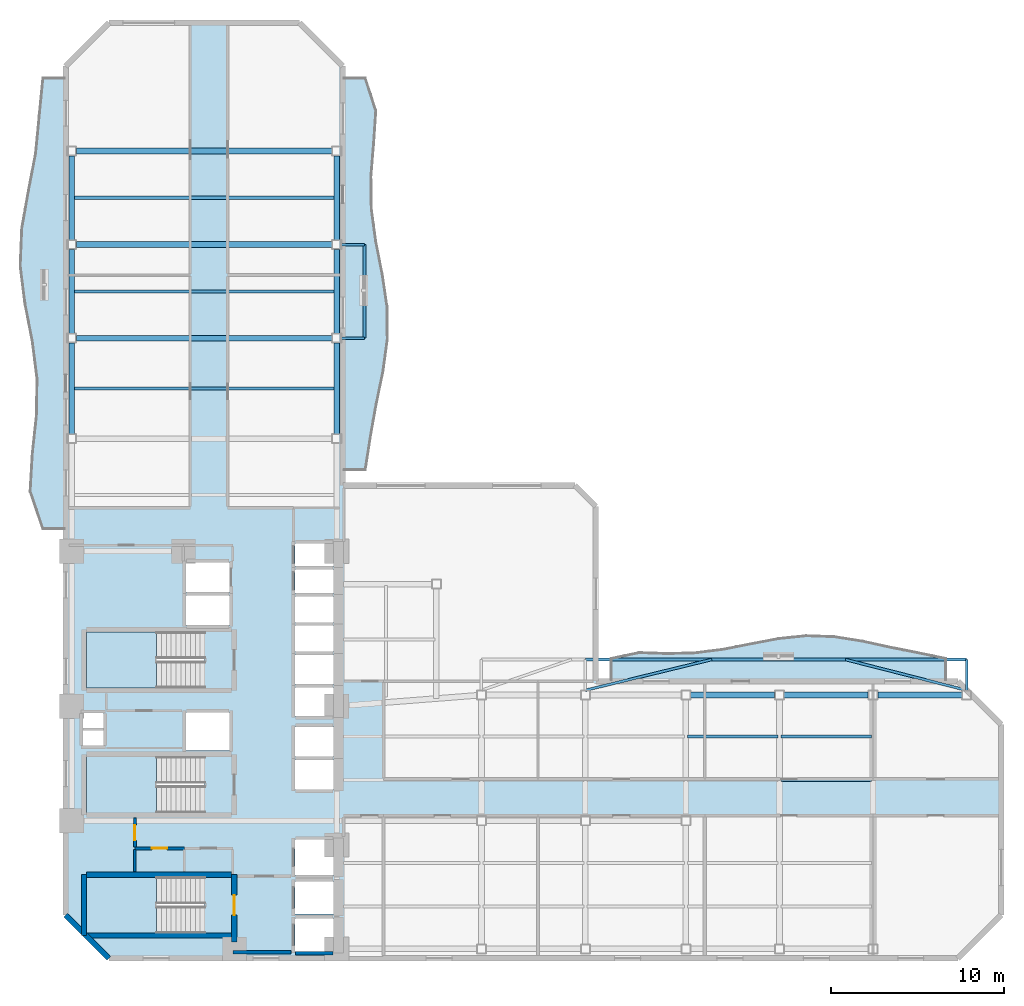
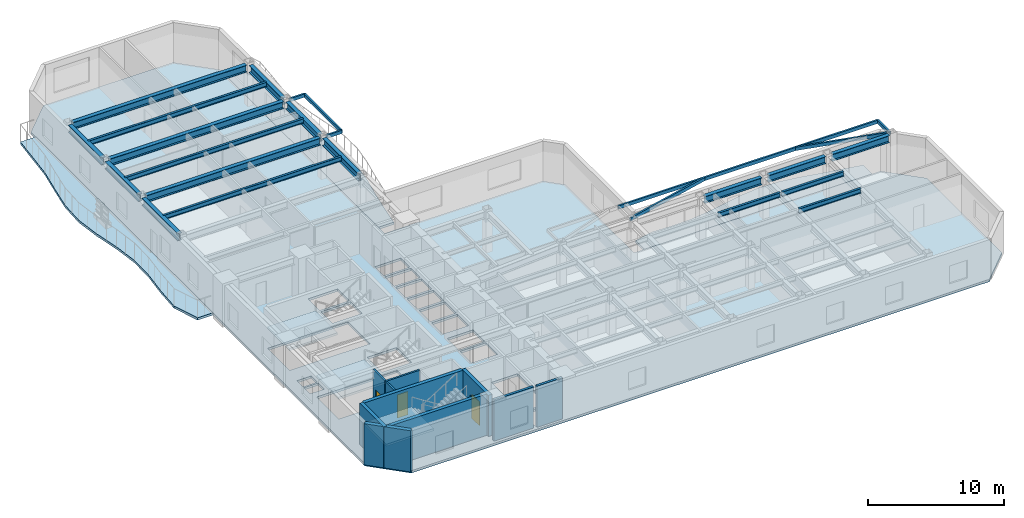
# One storey, part 2 of 10: 25 beams, 10 walls, 7 slabs, 3 doors, 3 openings, 3 elements without a shape of their own.
"""IFC4 building model written with IfcOpenShell, lengths in metres."""

from ifc_helpers import new_model, si_unit, direction, frame, frame_2d, origin, origin_2d, place, context, subcontext, project, spatial, polyline, rectangle, hollow_rectangle, i_section, outline, extrude, material, layer, layer_set, material_profile, profile_set, type_object, element, fill, aggregate, save


model = new_model("IFC4")

# Units and contexts
model_context = context("Model", 3, precision=1e-05, world=origin(), true_north=direction((0.0, 1.0)))
body_context = subcontext(model_context, "Body", "Model", "MODEL_VIEW")
ifc_project = project(units=[si_unit("LENGTHUNIT", "METRE"), si_unit("AREAUNIT", "SQUARE_METRE"), si_unit("VOLUMEUNIT", "CUBIC_METRE"), si_unit("PLANEANGLEUNIT", "RADIAN"), si_unit("MASSUNIT", "GRAM", prefix="KILO")], contexts=[model_context])

# Site, building, storey
site_placement = place(None, origin())
site = spatial("IfcSite", under=ifc_project, at=site_placement, CompositionType="ELEMENT")
building_placement = place(site_placement, origin())
building = spatial("IfcBuilding", under=site, at=building_placement, Name="Mawjaban Terraces University", CompositionType="ELEMENT")
storey_placement = place(building_placement, frame((0.0, 0.0, 58.300048828125)))
storey = spatial("IfcBuildingStorey", under=building, at=storey_placement, Name="L13", CompositionType="ELEMENT", Elevation=58.300048828125)

# Beams
ifc_material_1 = material(Name="Steel EN 10210-1 S355J2H", Category="steel")
ifc_material_profile_1 = material_profile(ifc_material_1, hollow_rectangle(XDim=0.14990234375, YDim=0.300048828125, WallThickness=0.012451171875, at=origin_2d()), Name="RHS300X150X12.5")
ifc_profile_set_1 = profile_set([ifc_material_profile_1], Name="Steel EN 10210-1 S355J2H")
beam_type_1 = type_object("IfcBeamType", Name="BalconyCantileverSpandrel_RHS", PredefinedType="SPANDREL", material=ifc_profile_set_1)
beam_1_placement = place(storey_placement, frame((74.0, 15.47509765625, 3.5400390625), z_axis=(0.0, 1.0, 0.0), x_axis=(-1.0, 0.0, 0.0)))
element("IfcBeam", 1, at=beam_1_placement, inside=storey, type_object=beam_type_1, Name="L13 Exterior Outrigger BAL-L14-N.2", PredefinedType="SPANDREL", context=body_context, shape_type="SweptSolid", body=[
    extrude(hollow_rectangle(XDim=0.14990234375, YDim=0.300048828125, WallThickness=0.012451171875, at=origin_2d()), origin(), (0.0, 0.0, 1.0), 1.77490234375),
])
beam_2_placement = place(storey_placement, frame((52.0, 17.25, 3.5400390625), z_axis=(1.0, 0.0, 0.0), x_axis=(0.0, 1.0, 0.0)))
element("IfcBeam", 2, at=beam_2_placement, inside=storey, type_object=beam_type_1, Name="L13 Exterior Edge Spandrel BAL-L14-N", PredefinedType="SPANDREL", context=body_context, shape_type="SweptSolid", body=[
    extrude(hollow_rectangle(XDim=0.14990234375, YDim=0.300048828125, WallThickness=0.012451171875, at=origin_2d()), origin(), (0.0, 0.0, 1.0), 22.0),
])
beam_3_placement = place(storey_placement, frame((52.0, 15.47509765625, 3.5400390625), z_axis=(0.971617089305, 0.236559150678, 0.0), x_axis=(-0.236559150678, 0.971617089305, 0.0)))
element("IfcBeam", 3, at=beam_3_placement, inside=storey, type_object=beam_type_1, Name="L13 Exterior Diagonal Strut BAL-L14-N.1", PredefinedType="SPANDREL", context=body_context, shape_type="SweptSolid", body=[
    extrude(hollow_rectangle(XDim=0.14990234375, YDim=0.300048828125, WallThickness=0.012451171875, at=origin_2d()), origin(), (0.0, 0.0, 1.0), 7.5029296875),
])
beam_4_placement = place(storey_placement, frame((74.0, 15.47509765625, 3.5400390625), z_axis=(-0.96924179348, 0.246110434096, 0.0), x_axis=(-0.246110434096, -0.96924179348, 0.0)))
element("IfcBeam", 4, at=beam_4_placement, inside=storey, type_object=beam_type_1, Name="L13 Exterior Diagonal Strut BAL-L14-N.2", PredefinedType="SPANDREL", context=body_context, shape_type="SweptSolid", body=[
    extrude(hollow_rectangle(XDim=0.14990234375, YDim=0.300048828125, WallThickness=0.012451171875, at=origin_2d()), origin(), (0.0, 0.0, 1.0), 7.2119140625),
])
for number, where, z_axis, x_axis, name in (
    (5, (37.925048828125, 35.800048828125, 3.5400390625), (1.0, 0.0, 0.0), (0.0, 1.0, 0.0), "L13 Exterior Outrigger BAL-L14-E.1"),
    (6, (37.925048828125, 41.199951171875, 3.5400390625), (1.0, 0.0, 0.0), (0.0, 1.0, 0.0), "L13 Exterior Outrigger BAL-L14-E.2"),
):
    element("IfcBeam", number, at=place(storey_placement, frame(where, z_axis=z_axis, x_axis=x_axis)), inside=storey, type_object=beam_type_1, Name=name, PredefinedType="SPANDREL", context=body_context, shape_type="SweptSolid", body=[
        extrude(hollow_rectangle(XDim=0.14990234375, YDim=0.300048828125, WallThickness=0.012451171875, at=origin_2d()), origin(), (0.0, 0.0, 1.0), 1.324951171875),
    ])
beam_5_placement = place(storey_placement, frame((39.25, 35.800048828125, 3.5400390625), z_axis=(0.0, 1.0, 0.0), x_axis=(-1.0, 0.0, 0.0)))
element("IfcBeam", 7, at=beam_5_placement, inside=storey, type_object=beam_type_1, Name="L13 Exterior Edge Spandrel BAL-L14-E", PredefinedType="SPANDREL", context=body_context, shape_type="SweptSolid", body=[
    extrude(hollow_rectangle(XDim=0.14990234375, YDim=0.300048828125, WallThickness=0.012451171875, at=origin_2d()), origin(), (0.0, 0.0, 1.0), 5.39990234375),
])
ifc_material_2 = material(Name="Steel ASTM A572 Grade 50", Category="steel")
ifc_material_profile_2 = material_profile(ifc_material_2, i_section(OverallWidth=0.3291015625, OverallDepth=0.635009765625, WebThickness=0.017822265625, FlangeThickness=0.031005859375, at=origin_2d()), Name="W610X241")
ifc_profile_set_2 = profile_set([ifc_material_profile_2], Name="Steel ASTM A572 Grade 50")
beam_type_2 = type_object("IfcBeamType", Name="Beam_B_W610X241", PredefinedType="BEAM", material=ifc_profile_set_2)
beam_6_placement = place(storey_placement, frame((58.074951171875, 15.199951171875, 3.3720703125), z_axis=(1.0, 0.0, 0.0), x_axis=(0.0, 1.0, 0.0)))
element("IfcBeam", 8, at=beam_6_placement, inside=storey, type_object=beam_type_2, Name="L13 Beam BM-L13-EW-11", PredefinedType="BEAM", context=body_context, shape_type="SweptSolid", body=[
    extrude(i_section(OverallWidth=0.3291015625, OverallDepth=0.635009765625, WebThickness=0.017822265625, FlangeThickness=0.031005859375, at=origin_2d()), origin(), (0.0, 0.0, 1.0), 4.85009765625),
])
beam_7_placement = place(storey_placement, frame((63.47509765625, 15.199951171875, 3.3720703125), z_axis=(1.0, 0.0, 0.0), x_axis=(0.0, 1.0, 0.0)))
element("IfcBeam", 9, at=beam_7_placement, inside=storey, type_object=beam_type_2, Name="L13 Beam BM-L13-EW-12", PredefinedType="BEAM", context=body_context, shape_type="SweptSolid", body=[
    extrude(i_section(OverallWidth=0.3291015625, OverallDepth=0.635009765625, WebThickness=0.017822265625, FlangeThickness=0.031005859375, at=origin_2d()), origin(), (0.0, 0.0, 1.0), 4.849853515625),
])
beam_8_placement = place(storey_placement, frame((68.875, 15.199951171875, 3.3720703125), z_axis=(1.0, 0.0, 0.0), x_axis=(0.0, 1.0, 0.0)))
element("IfcBeam", 10, at=beam_8_placement, inside=storey, type_object=beam_type_2, Name="L13 Beam BM-L13-EW-13", PredefinedType="BEAM", context=body_context, shape_type="SweptSolid", body=[
    extrude(i_section(OverallWidth=0.3291015625, OverallDepth=0.635009765625, WebThickness=0.017822265625, FlangeThickness=0.031005859375, at=origin_2d()), origin(), (0.0, 0.0, 1.0), 4.85009765625),
])
for number, where, z_axis, x_axis, name in (
    (11, (22.625, 35.800048828125, 3.3720703125), (1.0, 0.0, 0.0), (0.0, 1.0, 0.0), "L13 Beam BM-L13-EW-16"),
    (12, (22.625, 41.199951171875, 3.3720703125), (1.0, 0.0, 0.0), (0.0, 1.0, 0.0), "L13 Beam BM-L13-EW-17"),
    (13, (22.625, 46.60009765625, 3.3720703125), (1.0, 0.0, 0.0), (0.0, 1.0, 0.0), "L13 Beam BM-L13-EW-18"),
):
    element("IfcBeam", number, at=place(storey_placement, frame(where, z_axis=z_axis, x_axis=x_axis)), inside=storey, type_object=beam_type_2, Name=name, PredefinedType="BEAM", context=body_context, shape_type="SweptSolid", body=[
        extrude(i_section(OverallWidth=0.3291015625, OverallDepth=0.635009765625, WebThickness=0.017822265625, FlangeThickness=0.031005859375, at=origin_2d()), origin(), (0.0, 0.0, 1.0), 14.75),
    ])
beam_9_placement = place(storey_placement, frame((22.35009765625, 30.27490234375, 3.3720703125), z_axis=(0.0, 1.0, 0.0), x_axis=(-1.0, 0.0, 0.0)))
element("IfcBeam", 14, at=beam_9_placement, inside=storey, type_object=beam_type_2, Name="L13 Beam BM-L13-NS-04", PredefinedType="BEAM", context=body_context, shape_type="SweptSolid", body=[
    extrude(i_section(OverallWidth=0.3291015625, OverallDepth=0.635009765625, WebThickness=0.017822265625, FlangeThickness=0.031005859375, at=origin_2d()), origin(), (0.0, 0.0, 1.0), 5.25),
])
beam_10_placement = place(storey_placement, frame((22.35009765625, 36.074951171875, 3.3720703125), z_axis=(0.0, 1.0, 0.0), x_axis=(-1.0, 0.0, 0.0)))
element("IfcBeam", 15, at=beam_10_placement, inside=storey, type_object=beam_type_2, Name="L13 Beam BM-L13-NS-05", PredefinedType="BEAM", context=body_context, shape_type="SweptSolid", body=[
    extrude(i_section(OverallWidth=0.3291015625, OverallDepth=0.635009765625, WebThickness=0.017822265625, FlangeThickness=0.031005859375, at=origin_2d()), origin(), (0.0, 0.0, 1.0), 4.85009765625),
])
beam_11_placement = place(storey_placement, frame((22.35009765625, 41.47509765625, 3.3720703125), z_axis=(0.0, 1.0, 0.0), x_axis=(-1.0, 0.0, 0.0)))
element("IfcBeam", 16, at=beam_11_placement, inside=storey, type_object=beam_type_2, Name="L13 Beam BM-L13-NS-06", PredefinedType="BEAM", context=body_context, shape_type="SweptSolid", body=[
    extrude(i_section(OverallWidth=0.3291015625, OverallDepth=0.635009765625, WebThickness=0.017822265625, FlangeThickness=0.031005859375, at=origin_2d()), origin(), (0.0, 0.0, 1.0), 4.849853515625),
])
beam_12_placement = place(storey_placement, frame((37.64990234375, 30.27490234375, 3.3720703125), z_axis=(0.0, 1.0, 0.0), x_axis=(-1.0, 0.0, 0.0)))
element("IfcBeam", 17, at=beam_12_placement, inside=storey, type_object=beam_type_2, Name="L13 Beam BM-L13-NS-11", PredefinedType="BEAM", context=body_context, shape_type="SweptSolid", body=[
    extrude(i_section(OverallWidth=0.3291015625, OverallDepth=0.635009765625, WebThickness=0.017822265625, FlangeThickness=0.031005859375, at=origin_2d()), origin(), (0.0, 0.0, 1.0), 5.25),
])
beam_13_placement = place(storey_placement, frame((37.64990234375, 36.074951171875, 3.3720703125), z_axis=(0.0, 1.0, 0.0), x_axis=(-1.0, 0.0, 0.0)))
element("IfcBeam", 18, at=beam_13_placement, inside=storey, type_object=beam_type_2, Name="L13 Beam BM-L13-NS-12", PredefinedType="BEAM", context=body_context, shape_type="SweptSolid", body=[
    extrude(i_section(OverallWidth=0.3291015625, OverallDepth=0.635009765625, WebThickness=0.017822265625, FlangeThickness=0.031005859375, at=origin_2d()), origin(), (0.0, 0.0, 1.0), 4.85009765625),
])
beam_14_placement = place(storey_placement, frame((37.64990234375, 41.47509765625, 3.3720703125), z_axis=(0.0, 1.0, 0.0), x_axis=(-1.0, 0.0, 0.0)))
element("IfcBeam", 19, at=beam_14_placement, inside=storey, type_object=beam_type_2, Name="L13 Beam BM-L13-NS-13", PredefinedType="BEAM", context=body_context, shape_type="SweptSolid", body=[
    extrude(i_section(OverallWidth=0.3291015625, OverallDepth=0.635009765625, WebThickness=0.017822265625, FlangeThickness=0.031005859375, at=origin_2d()), origin(), (0.0, 0.0, 1.0), 4.849853515625),
])
ifc_material_profile_3 = material_profile(ifc_material_2, i_section(OverallWidth=0.179931640625, OverallDepth=0.4130859375, WebThickness=0.009765625, FlangeThickness=0.01611328125, at=origin_2d()), Name="W410X74")
ifc_profile_set_3 = profile_set([ifc_material_profile_3], Name="Steel ASTM A572 Grade 50")
beam_type_3 = type_object("IfcBeamType", Name="Beam_J_W410X74", PredefinedType="JOIST", material=ifc_profile_set_3)
beam_15_placement = place(storey_placement, frame((63.280029296875, 10.300048828125, 3.48388671875), z_axis=(1.0, 0.0, 0.0), x_axis=(0.0, 1.0, 0.0)))
element("IfcBeam", 20, at=beam_15_placement, inside=storey, type_object=beam_type_3, Name="L13 Composite Joist JST-L13-15", PredefinedType="JOIST", context=body_context, shape_type="SweptSolid", body=[
    extrude(i_section(OverallWidth=0.179931640625, OverallDepth=0.4130859375, WebThickness=0.009765625, FlangeThickness=0.01611328125, at=origin_2d()), origin(), (0.0, 0.0, 1.0), 5.239990234375),
])
beam_16_placement = place(storey_placement, frame((57.8798828125, 12.800048828125, 3.48388671875), z_axis=(1.0, 0.0, 0.0), x_axis=(0.0, 1.0, 0.0)))
element("IfcBeam", 21, at=beam_16_placement, inside=storey, type_object=beam_type_3, Name="L13 Composite Joist JST-L13-19", PredefinedType="JOIST", context=body_context, shape_type="SweptSolid", body=[
    extrude(i_section(OverallWidth=0.179931640625, OverallDepth=0.4130859375, WebThickness=0.009765625, FlangeThickness=0.01611328125, at=origin_2d()), origin(), (0.0, 0.0, 1.0), 5.240234375),
])
beam_17_placement = place(storey_placement, frame((63.280029296875, 12.800048828125, 3.48388671875), z_axis=(1.0, 0.0, 0.0), x_axis=(0.0, 1.0, 0.0)))
element("IfcBeam", 22, at=beam_17_placement, inside=storey, type_object=beam_type_3, Name="L13 Composite Joist JST-L13-20", PredefinedType="JOIST", context=body_context, shape_type="SweptSolid", body=[
    extrude(i_section(OverallWidth=0.179931640625, OverallDepth=0.4130859375, WebThickness=0.009765625, FlangeThickness=0.01611328125, at=origin_2d()), origin(), (0.0, 0.0, 1.0), 5.239990234375),
])
for number, where, z_axis, x_axis, name in (
    (23, (22.429931640625, 32.89990234375, 3.48388671875), (1.0, 0.0, 0.0), (0.0, 1.0, 0.0), "L13 Composite Joist JST-L13-23"),
    (24, (22.429931640625, 38.5, 3.48388671875), (1.0, 0.0, 0.0), (0.0, 1.0, 0.0), "L13 Composite Joist JST-L13-24"),
    (25, (22.429931640625, 43.89990234375, 3.48388671875), (1.0, 0.0, 0.0), (0.0, 1.0, 0.0), "L13 Composite Joist JST-L13-25"),
):
    element("IfcBeam", number, at=place(storey_placement, frame(where, z_axis=z_axis, x_axis=x_axis)), inside=storey, type_object=beam_type_3, Name=name, PredefinedType="JOIST", context=body_context, shape_type="SweptSolid", body=[
        extrude(i_section(OverallWidth=0.179931640625, OverallDepth=0.4130859375, WebThickness=0.009765625, FlangeThickness=0.01611328125, at=origin_2d()), origin(), (0.0, 0.0, 1.0), 15.14013671875),
    ])

# Slabs
ifc_material_3 = material(Name="Concrete C40/50", Category="concrete")
ifc_layer_1 = layer(ifc_material_3, 0.2099609375)
ifc_layer_set_1 = layer_set([ifc_layer_1], Name="Concrete C40/50")
slab_type_1 = type_object("IfcSlabType", Name="BalconySlab_210_Ext", PredefinedType="FLOOR", material=ifc_layer_set_1)
slab_1_placement = place(storey_placement, frame((0.0, 0.0, -0.2099609375)))
element("IfcSlab", 26, at=slab_1_placement, inside=storey, type_object=slab_type_1, Name="L13 Planted Balcony Slab west", PredefinedType="FLOOR", context=body_context, shape_type="SweptSolid", body=[
    extrude(outline(polyline([(22.010009765625, 24.800048828125), (22.010009765625, 50.800048828125), (20.699951171875, 50.800048828125), (20.489013671875, 48.633056640625), (20.280029296875, 46.467041015625), (19.864990234375, 44.300048828125), (19.48095703125, 42.133056640625), (19.39306640625, 39.967041015625), (19.6630859375, 37.800048828125), (20.087890625, 35.633056640625), (20.363037109375, 33.467041015625), (20.324951171875, 31.300048828125), (20.090087890625, 29.133056640625), (19.966064453125, 26.967041015625), (20.699951171875, 24.800048828125), (22.010009765625, 24.800048828125)])), origin(), (0.0, 0.0, 1.0), 0.2099609375),
])
slab_2_placement = place(storey_placement, frame((0.0, 0.0, -0.2099609375)))
element("IfcSlab", 27, at=slab_2_placement, inside=storey, type_object=slab_type_1, Name="L13 Planted Balcony Slab inner_north", PredefinedType="FLOOR", context=body_context, shape_type="SweptSolid", body=[
    extrude(outline(polyline([(53.5, 15.989990234375), (72.800048828125, 15.989990234375), (72.800048828125, 17.300048828125), (71.19189453125, 17.631103515625), (69.5830078125, 17.948974609375), (67.97509765625, 18.300048828125), (66.366943359375, 18.555908203125), (64.758056640625, 18.613037109375), (63.14990234375, 18.448974609375), (61.5419921875, 18.14208984375), (59.93310546875, 17.823974609375), (58.324951171875, 17.6220703125), (56.717041015625, 17.5830078125), (55.10791015625, 17.638916015625), (53.5, 17.300048828125), (53.5, 15.989990234375)])), origin(), (0.0, 0.0, 1.0), 0.2099609375),
])
slab_3_placement = place(storey_placement, frame((0.0, 0.0, -0.2099609375)))
element("IfcSlab", 28, at=slab_3_placement, inside=storey, type_object=slab_type_1, Name="L13 Planted Balcony Slab inner_east", PredefinedType="FLOOR", context=body_context, shape_type="SweptSolid", body=[
    extrude(outline(polyline([(39.300048828125, 28.195068359375), (39.593017578125, 30.0791015625), (39.926025390625, 31.9619140625), (40.318115234375, 33.845947265625), (40.575927734375, 35.72998046875), (40.55810546875, 37.614013671875), (40.281005859375, 39.498046875), (39.908935546875, 41.381103515625), (39.653076171875, 43.264892578125), (39.6298828125, 45.14892578125), (39.787109375, 47.031982421875), (39.9140625, 48.916015625), (39.300048828125, 50.800048828125), (37.989990234375, 50.800048828125), (37.989990234375, 28.195068359375), (39.300048828125, 28.195068359375)])), origin(), (0.0, 0.0, 1.0), 0.2099609375),
])
ifc_layer_2 = layer(ifc_material_3, 0.2099609375)
ifc_layer_set_2 = layer_set([ifc_layer_2], Name="Concrete C40/50")
slab_type_2 = type_object("IfcSlabType", Name="CompositeSlab_210", PredefinedType="FLOOR", material=ifc_layer_set_2)
slab_4_placement = place(storey_placement, frame((0.0, 0.0, -0.2099609375)))
element("IfcSlab", 29, at=slab_4_placement, inside=storey, type_object=slab_type_2, Name="L13 Primary Structural Slab", PredefinedType="FLOOR", context=body_context, shape_type="SweptSolid", body=[
    extrude(outline(polyline([(24.5, 0.0), (73.5, 0.0), (76.0, 2.5), (76.0, 13.5), (73.5, 16.0), (52.60009765625, 16.0), (52.60009765625, 26.094970703125), (51.39990234375, 27.294921875), (38.0, 27.294921875), (38.0, 51.5), (35.5, 54.0), (24.5, 54.0), (22.0, 51.5), (22.0, 2.5), (24.5, 0.0)]), holes=[polyline([(30.014892578125, 4.699951171875), (23.199951171875, 4.699951171875), (23.199951171875, 1.449951171875), (30.014892578125, 1.449951171875), (30.014892578125, 4.699951171875)]), polyline([(30.014892578125, 18.85009765625), (23.199951171875, 18.85009765625), (23.199951171875, 15.60009765625), (30.014892578125, 15.60009765625), (30.014892578125, 18.85009765625)]), polyline([(30.014892578125, 11.64990234375), (23.199951171875, 11.64990234375), (23.199951171875, 8.39990234375), (30.014892578125, 8.39990234375), (30.014892578125, 11.64990234375)]), polyline([(35.25, 0.39990234375), (37.449951171875, 0.39990234375), (37.449951171875, 2.300048828125), (35.25, 2.300048828125), (35.25, 0.39990234375)]), polyline([(35.25, 2.550048828125), (37.449951171875, 2.550048828125), (37.449951171875, 4.449951171875), (35.25, 4.449951171875), (35.25, 2.550048828125)]), polyline([(35.25, 4.800048828125), (37.449951171875, 4.800048828125), (37.449951171875, 6.85009765625), (35.25, 6.85009765625), (35.25, 4.800048828125)]), polyline([(35.25, 9.75), (37.449951171875, 9.75), (37.449951171875, 11.449951171875), (35.25, 11.449951171875), (35.25, 9.75)]), polyline([(35.25, 11.64990234375), (37.449951171875, 11.64990234375), (37.449951171875, 13.35009765625), (35.25, 13.35009765625), (35.25, 11.64990234375)]), polyline([(28.949951171875, 12.0), (31.449951171875, 12.0), (31.449951171875, 14.199951171875), (28.949951171875, 14.199951171875), (28.949951171875, 12.0)]), polyline([(35.25, 14.0), (37.449951171875, 14.0), (37.449951171875, 15.64990234375), (35.25, 15.64990234375), (35.25, 14.0)]), polyline([(35.25, 15.85009765625), (37.449951171875, 15.85009765625), (37.449951171875, 17.5), (35.25, 17.5), (35.25, 15.85009765625)]), polyline([(35.25, 17.699951171875), (37.449951171875, 17.699951171875), (37.449951171875, 19.199951171875), (35.25, 19.199951171875), (35.25, 17.699951171875)]), polyline([(35.25, 19.39990234375), (37.449951171875, 19.39990234375), (37.449951171875, 20.89990234375), (35.25, 20.89990234375), (35.25, 19.39990234375)]), polyline([(28.949951171875, 19.25), (31.449951171875, 19.25), (31.449951171875, 20.949951171875), (28.949951171875, 20.949951171875), (28.949951171875, 19.25)]), polyline([(35.25, 21.10009765625), (37.449951171875, 21.10009765625), (37.449951171875, 22.449951171875), (35.25, 22.449951171875), (35.25, 21.10009765625)]), polyline([(35.25, 22.64990234375), (37.449951171875, 22.64990234375), (37.449951171875, 23.949951171875), (35.25, 23.949951171875), (35.25, 22.64990234375)]), polyline([(28.949951171875, 21.14990234375), (31.449951171875, 21.14990234375), (31.449951171875, 22.85009765625), (28.949951171875, 22.85009765625), (28.949951171875, 21.14990234375)]), polyline([(23.0, 12.25), (24.199951171875, 12.25), (24.199951171875, 13.14990234375), (23.0, 13.14990234375), (23.0, 12.25)]), polyline([(23.0, 13.300048828125), (24.199951171875, 13.300048828125), (24.199951171875, 14.179931640625), (23.0, 14.179931640625), (23.0, 13.300048828125)])]), origin(), (0.0, 0.0, 1.0), 0.2099609375),
])

# Stair, slab
stair_type = type_object("IfcStairType", Name="Stair_Core1550_H39", PredefinedType="HALF_TURN_STAIR", material=ifc_material_3)
stair_1_placement = place(storey_placement, origin())
stair_1 = element("IfcStair", 30, at=stair_1_placement, inside=storey, type_object=stair_type, Name="L13 Core Exit Stair 1", PredefinedType="HALF_TURN_STAIR")
ifc_layer_3 = layer(ifc_material_3, 0.199951171875)
ifc_layer_set_3 = layer_set([ifc_layer_3], Name="Concrete C40/50")
slab_type_3 = type_object("IfcSlabType", Name="StairLandingSlab_200", PredefinedType="LANDING", material=ifc_layer_set_3)
slab_5_placement = place(storey_placement, frame((0.0, 0.0, 1.75)))
slab_5 = element("IfcSlab", 31, at=slab_5_placement, type_object=slab_type_3, Name="ST-1 landing 1", PredefinedType="LANDING", context=body_context, shape_type="SweptSolid", body=[
    extrude(outline(polyline([(27.25, 4.699951171875), (23.199951171875, 4.699951171875), (23.199951171875, 1.449951171875), (27.25, 1.449951171875), (27.25, 4.699951171875)])), origin(), (0.0, 0.0, 1.0), 0.199951171875),
])
aggregate(stair_1, [slab_5])

stair_2_placement = place(storey_placement, origin())
stair_2 = element("IfcStair", 32, at=stair_2_placement, inside=storey, type_object=stair_type, Name="L13 Core Exit Stair 2", PredefinedType="HALF_TURN_STAIR")
slab_6_placement = place(storey_placement, frame((0.0, 0.0, 1.75)))
slab_6 = element("IfcSlab", 33, at=slab_6_placement, type_object=slab_type_3, Name="ST-2 landing 1", PredefinedType="LANDING", context=body_context, shape_type="SweptSolid", body=[
    extrude(outline(polyline([(27.25, 18.85009765625), (23.199951171875, 18.85009765625), (23.199951171875, 15.60009765625), (27.25, 15.60009765625), (27.25, 18.85009765625)])), origin(), (0.0, 0.0, 1.0), 0.199951171875),
])
aggregate(stair_2, [slab_6])

stair_3_placement = place(storey_placement, origin())
stair_3 = element("IfcStair", 34, at=stair_3_placement, inside=storey, type_object=stair_type, Name="L13 Core Exit Stair 3", PredefinedType="HALF_TURN_STAIR")
slab_7_placement = place(storey_placement, frame((0.0, 0.0, 1.75)))
slab_7 = element("IfcSlab", 35, at=slab_7_placement, type_object=slab_type_3, Name="ST-3 landing 1", PredefinedType="LANDING", context=body_context, shape_type="SweptSolid", body=[
    extrude(outline(polyline([(27.25, 11.64990234375), (23.199951171875, 11.64990234375), (23.199951171875, 8.39990234375), (27.25, 8.39990234375), (27.25, 11.64990234375)])), origin(), (0.0, 0.0, 1.0), 0.199951171875),
])
aggregate(stair_3, [slab_7])

# Wall, opening, door
ifc_material_4 = material(Name="Fire-rated gypsum board on steel stud", Category="steel")
ifc_layer_4 = layer(ifc_material_4, 0.159912109375)
ifc_layer_set_4 = layer_set([ifc_layer_4], Name="Fire-rated gypsum board on steel stud")
wall_type_1 = type_object("IfcWallType", Name="CorridorPartition_160", PredefinedType="PARTITIONING", material=ifc_layer_set_4)
wall_1_placement = place(storey_placement, frame((26.0, 6.35009765625, 0.0), z_axis=(0.0, 0.0, 1.0), x_axis=(1.0, 0.0, 0.0)))
wall_1 = element("IfcWall", 36, at=wall_1_placement, inside=storey, type_object=wall_type_1, Name="L13 Core Washroom Lobby Partition 3", PredefinedType="PARTITIONING", context=body_context, shape_type="SweptSolid", body=[
    extrude(rectangle(XDim=2.85009765625, YDim=0.159912109375, at=frame_2d((1.425048828125, 0.0))), origin(), (0.0, 0.0, 1.0), 3.68994140625),
])
opening_1_placement = place(wall_1_placement, frame((0.985107421875, 0.0, 0.0)))
opening_1 = element("IfcOpeningElement", 37, at=opening_1_placement, cuts=wall_1, Name="Opening ID-088", PredefinedType="OPENING", context=body_context, shape_type="SweptSolid", body=[
    extrude(rectangle(XDim=0.8798828125, YDim=2.10009765625, at=frame_2d((0.43994140625, 1.050048828125))), frame((0.0, 0.08984375, 0.0), z_axis=(0.0, -1.0, 0.0), x_axis=(1.0, 0.0, 0.0)), (0.0, 0.0, 1.0), 0.179931640625),
])
ifc_material_5 = material(Name="Powder-coated steel frame and solid acoustic timber leaf", Category="steel")
door_type_1 = type_object("IfcDoorType", Name="ToiletDoor_880x2100", OperationType="NOTDEFINED", PredefinedType="DOOR", material=ifc_material_5)
door_1_placement = place(opening_1_placement, origin())
door_1 = element("IfcDoor", 38, at=door_1_placement, inside=storey, type_object=door_type_1, Name="L13 Male Toilet Door", OperationType="SINGLE_SWING_LEFT", OverallHeight=2.10009765625, OverallWidth=0.8798828125, PredefinedType="DOOR", context=body_context, shape_type="SweptSolid", body=[
    extrude(rectangle(XDim=0.8798828125, YDim=2.10009765625, at=frame_2d((0.43994140625, 1.050048828125))), frame((0.0, 0.02490234375, 0.0), z_axis=(0.0, -1.0, 0.0), x_axis=(1.0, 0.0, 0.0)), (0.0, 0.0, 1.0), 0.050048828125),
])
fill(opening_1, door_1)

wall_2_placement = place(storey_placement, frame((26.0, 8.090087890625, 0.0), z_axis=(0.0, 0.0, 1.0), x_axis=(0.0, -1.0, 0.0)))
wall_2 = element("IfcWall", 39, at=wall_2_placement, inside=storey, type_object=wall_type_1, Name="L13 Core Washroom Lobby Partition 28", PredefinedType="PARTITIONING", context=body_context, shape_type="SweptSolid", body=[
    extrude(rectangle(XDim=1.6650390625, YDim=0.159912109375, at=frame_2d((0.83251953125, 0.0))), origin(), (0.0, 0.0, 1.0), 3.68994140625),
])
opening_2_placement = place(wall_2_placement, frame((0.39306640625, 0.0, 0.0)))
opening_2 = element("IfcOpeningElement", 40, at=opening_2_placement, cuts=wall_2, Name="Opening ID-088", PredefinedType="OPENING", context=body_context, shape_type="SweptSolid", body=[
    extrude(rectangle(XDim=0.8798828125, YDim=2.10009765625, at=frame_2d((0.43994140625, 1.050048828125))), frame((0.0, 0.08984375, 0.0), z_axis=(0.0, -1.0, 0.0), x_axis=(1.0, 0.0, 0.0)), (0.0, 0.0, 1.0), 0.179931640625),
])
door_2_placement = place(opening_2_placement, origin())
door_2 = element("IfcDoor", 41, at=door_2_placement, inside=storey, type_object=door_type_1, Name="L13 Ablution Room Door", OperationType="SINGLE_SWING_RIGHT", OverallHeight=2.10009765625, OverallWidth=0.8798828125, PredefinedType="DOOR", context=body_context, shape_type="SweptSolid", body=[
    extrude(rectangle(XDim=0.8798828125, YDim=2.10009765625, at=frame_2d((0.43994140625, 1.050048828125))), frame((0.0, 0.02490234375, 0.0), z_axis=(0.0, -1.0, 0.0), x_axis=(1.0, 0.0, 0.0)), (0.0, 0.0, 1.0), 0.050048828125),
])
fill(opening_2, door_2)

# Walls
ifc_material_6 = material(Name="Insulated terracotta rainscreen on concrete backup C40/50", Category="masonry")
ifc_layer_5 = layer(ifc_material_6, 0.320068359375)
ifc_layer_set_5 = layer_set([ifc_layer_5], Name="Insulated terracotta rainscreen on concrete backup C40/50")
wall_type_2 = type_object("IfcWallType", Name="ExtTerracottaWall_320", PredefinedType="SOLIDWALL", material=ifc_layer_set_5)
wall_3_placement = place(storey_placement, frame((22.0, 2.5, 0.0), z_axis=(0.0, 0.0, 1.0), x_axis=(0.707106781187, -0.707106781187, 0.0)))
element("IfcWall", 42, at=wall_3_placement, inside=storey, type_object=wall_type_2, Name="L13 Exterior Terracotta Wall 14", PredefinedType="SOLIDWALL", context=body_context, shape_type="SweptSolid", body=[
    extrude(rectangle(XDim=3.53564453125, YDim=0.320068359375, at=frame_2d((1.767822265625, 0.0))), origin(), (0.0, 0.0, 1.0), 3.68994140625),
])
ifc_layer_6 = layer(ifc_material_3, 0.199951171875)
ifc_layer_set_6 = layer_set([ifc_layer_6], Name="Concrete C40/50")
wall_type_3 = type_object("IfcWallType", Name="FireLobbyWall_200", PredefinedType="SOLIDWALL", material=ifc_layer_set_6)
wall_4_placement = place(storey_placement, frame((35.280029296875, 0.300048828125, 0.0), z_axis=(0.0, 0.0, 1.0), x_axis=(1.0, 0.0, 0.0)))
element("IfcWall", 43, at=wall_4_placement, inside=storey, type_object=wall_type_3, Name="L13 Lift FL-1 Hoistway Wall South", PredefinedType="SOLIDWALL", context=body_context, shape_type="SweptSolid", body=[
    extrude(rectangle(XDim=2.139892578125, YDim=0.199951171875, at=frame_2d((1.06982421875, 0.0))), origin(), (0.0, 0.0, 1.0), 3.68994140625),
])
wall_5_placement = place(storey_placement, frame((31.64990234375, 0.35009765625, 0.0), z_axis=(0.0, 0.0, 1.0), x_axis=(1.0, 0.0, 0.0)))
element("IfcWall", 44, at=wall_5_placement, inside=storey, type_object=wall_type_3, Name="L13 Firefighting Lift Lobby Partition 9", PredefinedType="SOLIDWALL", context=body_context, shape_type="SweptSolid", body=[
    extrude(rectangle(XDim=3.3701171875, YDim=0.199951171875, at=frame_2d((1.68505859375, 0.0))), origin(), (0.0, 0.0, 1.0), 3.68994140625),
])
ifc_material_7 = material(Name="Concrete C60/75", Category="concrete")
ifc_layer_7 = layer(ifc_material_7, 0.300048828125)
ifc_layer_set_7 = layer_set([ifc_layer_7], Name="Concrete C60/75")
wall_type_4 = type_object("IfcWallType", Name="StairShaftWall_300", PredefinedType="SHEAR", material=ifc_layer_set_7)
wall_6_placement = place(storey_placement, frame((31.580078125, 4.830078125, 0.0), z_axis=(0.0, 0.0, 1.0), x_axis=(-1.0, 0.0, 0.0)))
element("IfcWall", 45, at=wall_6_placement, inside=storey, type_object=wall_type_4, Name="L13 ST-1 Stair Shaft Wall 1", PredefinedType="SHEAR", context=body_context, shape_type="SweptSolid", body=[
    extrude(rectangle(XDim=8.360107421875, YDim=0.300048828125, at=frame_2d((4.18017578125, 0.0))), origin(), (0.0, 0.0, 1.0), 3.68994140625),
])
wall_7_placement = place(storey_placement, frame((23.070068359375, 4.830078125, 0.0), z_axis=(0.0, 0.0, 1.0), x_axis=(0.0, -1.0, 0.0)))
element("IfcWall", 46, at=wall_7_placement, inside=storey, type_object=wall_type_4, Name="L13 ST-1 Stair Shaft Wall 2", PredefinedType="SHEAR", context=body_context, shape_type="SweptSolid", body=[
    extrude(rectangle(XDim=3.510009765625, YDim=0.300048828125, at=frame_2d((1.7548828125, 0.0))), origin(), (0.0, 0.0, 1.0), 3.68994140625),
])
wall_8_placement = place(storey_placement, frame((23.219970703125, 1.320068359375, 0.0), z_axis=(0.0, 0.0, 1.0), x_axis=(1.0, 0.0, 0.0)))
element("IfcWall", 47, at=wall_8_placement, inside=storey, type_object=wall_type_4, Name="L13 ST-1 Stair Shaft Wall 3", PredefinedType="SHEAR", context=body_context, shape_type="SweptSolid", body=[
    extrude(rectangle(XDim=8.360107421875, YDim=0.300048828125, at=frame_2d((4.18017578125, 0.0))), origin(), (0.0, 0.0, 1.0), 3.68994140625),
])

# Wall, opening, door
wall_9_placement = place(storey_placement, frame((31.72998046875, 0.9599609375, 0.0), z_axis=(0.0, 0.0, 1.0), x_axis=(0.0, 1.0, 0.0)))
wall_9 = element("IfcWall", 48, at=wall_9_placement, inside=storey, type_object=wall_type_4, Name="L13 ST-1 Stair Shaft Wall 4", PredefinedType="SHEAR", context=body_context, shape_type="SweptSolid", body=[
    extrude(rectangle(XDim=3.8701171875, YDim=0.300048828125, at=frame_2d((1.93505859375, 0.0))), origin(), (0.0, 0.0, 1.0), 3.68994140625),
])
opening_3_placement = place(wall_9_placement, frame((1.5400390625, 0.0, 0.0)))
opening_3 = element("IfcOpeningElement", 49, at=opening_3_placement, cuts=wall_9, Name="Opening FD-115", PredefinedType="OPENING", context=body_context, shape_type="SweptSolid", body=[
    extrude(rectangle(XDim=1.14990234375, YDim=2.14990234375, at=frame_2d((0.574951171875, 1.074951171875))), frame((0.0, 0.159912109375, 0.0), z_axis=(0.0, -1.0, 0.0), x_axis=(1.0, 0.0, 0.0)), (0.0, 0.0, 1.0), 0.320068359375),
])
ifc_material_8 = material(Name="Powder-coated steel frame and fire-rated steel-faced leaf", Category="steel")
door_type_2 = type_object("IfcDoorType", Name="FireStairDoor_1150x2150", OperationType="NOTDEFINED", PredefinedType="DOOR", material=ifc_material_8)
door_3_placement = place(opening_3_placement, origin())
door_3 = element("IfcDoor", 50, at=door_3_placement, inside=storey, type_object=door_type_2, Name="L13 ST-1 Pressurised Stair Fire Door", OperationType="SINGLE_SWING_RIGHT", OverallHeight=2.14990234375, OverallWidth=1.14990234375, PredefinedType="DOOR", context=body_context, shape_type="SweptSolid", body=[
    extrude(rectangle(XDim=1.14990234375, YDim=2.14990234375, at=frame_2d((0.574951171875, 1.074951171875))), frame((0.0, 0.02490234375, 0.0), z_axis=(0.0, -1.0, 0.0), x_axis=(1.0, 0.0, 0.0)), (0.0, 0.0, 1.0), 0.050048828125),
])
fill(opening_3, door_3)

# Wall
ifc_material_9 = material(Name="Cement-board wet-room partition", Category="masonry")
ifc_layer_8 = layer(ifc_material_9, 0.135009765625)
ifc_layer_set_8 = layer_set([ifc_layer_8], Name="Cement-board wet-room partition")
wall_type_5 = type_object("IfcWallType", Name="WetRoomPartition_135", PredefinedType="PARTITIONING", material=ifc_layer_set_8)
wall_10_placement = place(storey_placement, frame((26.0, 5.010009765625, 0.0), z_axis=(0.0, 0.0, 1.0), x_axis=(0.0, 1.0, 0.0)))
element("IfcWall", 51, at=wall_10_placement, inside=storey, type_object=wall_type_5, Name="L13 Ablution Room Partition 27", PredefinedType="PARTITIONING", context=body_context, shape_type="SweptSolid", body=[
    extrude(rectangle(XDim=1.264892578125, YDim=0.135009765625, at=frame_2d((0.63232421875, 0.0))), origin(), (0.0, 0.0, 1.0), 3.68994140625),
])

save(model, "model.ifc")
